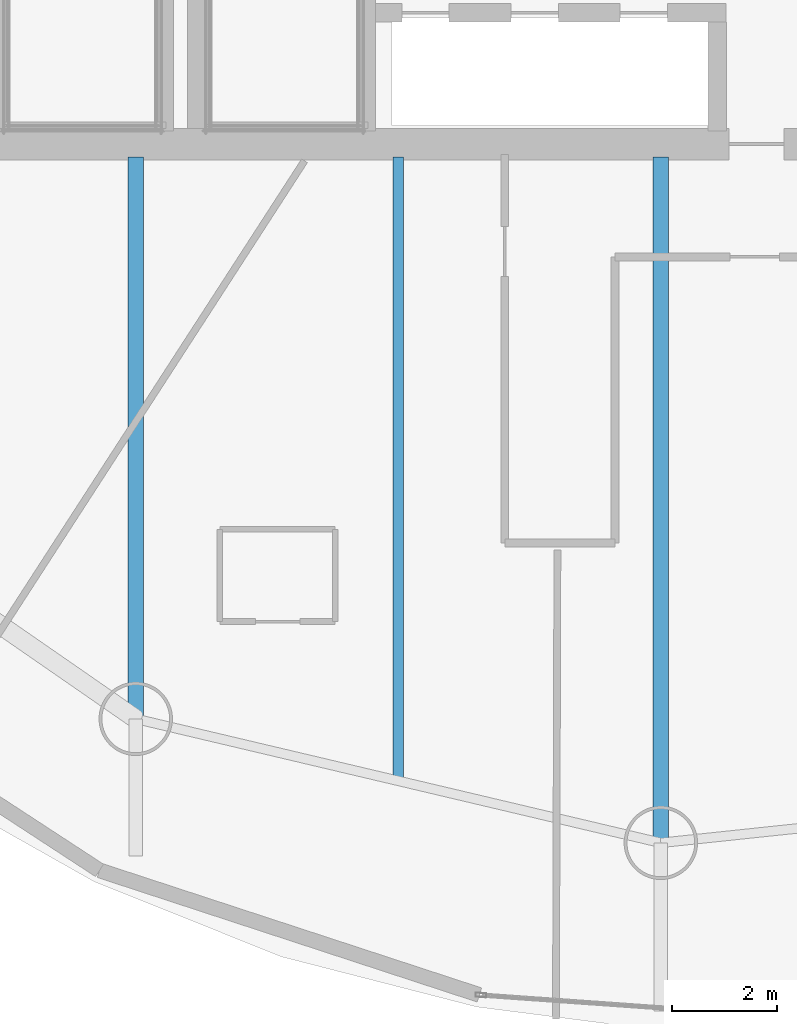
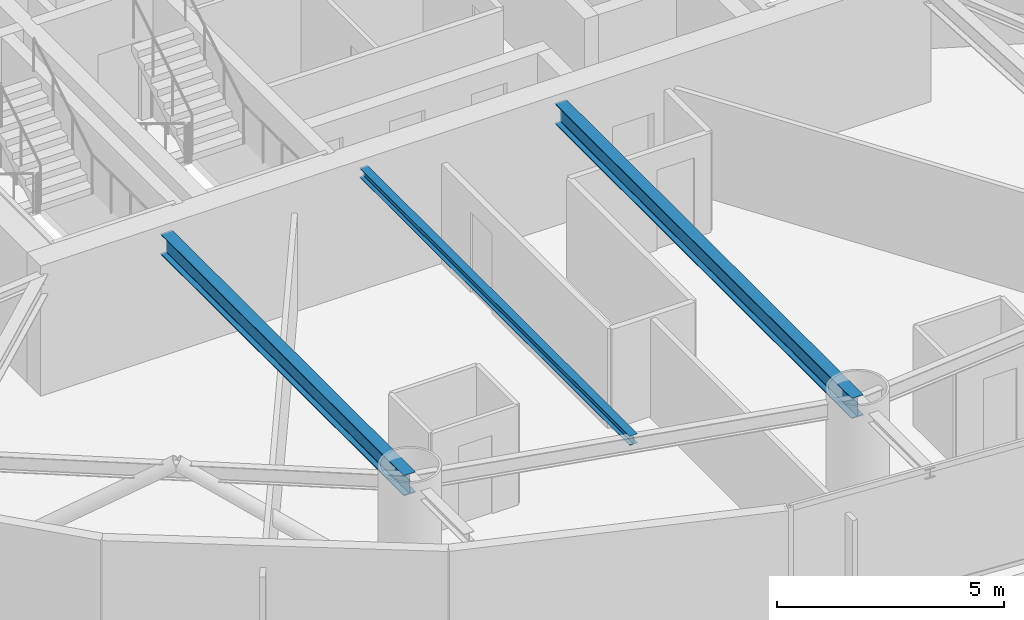
# One storey, part 3 of 22: 3 beams.
"""IFC4 building model written with IfcOpenShell, lengths in metres."""

from ifc_helpers import new_model, si_unit, direction, frame, origin, origin_2d, place, context, subcontext, project, spatial, i_section, extrude, material, material_profile, profile_set, type_object, element, save


model = new_model("IFC4")

# Units and contexts
model_context = context("Model", 3, precision=1e-05, world=origin(), true_north=direction((0.0, 1.0)))
body_context = subcontext(model_context, "Body", "Model", "MODEL_VIEW")
ifc_project = project(units=[si_unit("LENGTHUNIT", "METRE"), si_unit("AREAUNIT", "SQUARE_METRE"), si_unit("VOLUMEUNIT", "CUBIC_METRE"), si_unit("PLANEANGLEUNIT", "RADIAN"), si_unit("MASSUNIT", "GRAM", prefix="KILO")], contexts=[model_context])

# Site, building, storey
site_placement = place(None, origin())
site = spatial("IfcSite", under=ifc_project, at=site_placement, CompositionType="ELEMENT")
building_placement = place(site_placement, origin())
building = spatial("IfcBuilding", under=site, at=building_placement, Name="Bramvorn Convention Spire", CompositionType="ELEMENT")
storey_placement = place(building_placement, frame((0.0, 0.0, 134.300048828125)))
storey = spatial("IfcBuildingStorey", under=building, at=storey_placement, Name="L33", CompositionType="ELEMENT", Elevation=134.300048828125)

# Beams
ifc_material = material(Name="Steel CSA G40.21 Grade 350 (350W)", Category="steel")
ifc_material_profile_1 = material_profile(ifc_material, i_section(OverallWidth=0.201904296875, OverallDepth=0.2470703125, WebThickness=0.00732421875, FlangeThickness=0.010986328125, FilletRadius=0.011962890625, at=origin_2d()))
ifc_profile_set_1 = profile_set([ifc_material_profile_1], Name="Steel CSA G40.21 Grade 350 (350W) - W250X49")
beam_type_1 = type_object("IfcBeamType", Name="BM-W250X49", PredefinedType="JOIST", material=ifc_profile_set_1)
beam_1_placement = place(storey_placement, frame((34.920654296875, 18.550048828125, 3.136474609375), z_axis=(0.0, -1.0, 0.0), x_axis=(1.0, 0.0, 0.0)))
element("IfcBeam", 1, at=beam_1_placement, inside=storey, type_object=beam_type_1, Name="L33 composite floor joist 13", PredefinedType="JOIST", context=body_context, shape_type="SweptSolid", body=[
    extrude(i_section(OverallWidth=0.201904296875, OverallDepth=0.2470703125, WebThickness=0.00732421875, FlangeThickness=0.010986328125, FilletRadius=0.011962890625, at=origin_2d()), origin(), (0.0, 0.0, 1.0), 11.8857421875),
])
ifc_material_profile_2 = material_profile(ifc_material, i_section(OverallWidth=0.2919921875, OverallDepth=0.551025390625, WebThickness=0.01513671875, FlangeThickness=0.0244140625, FilletRadius=0.01904296875, at=origin_2d()))
ifc_profile_set_2 = profile_set([ifc_material_profile_2], Name="Steel CSA G40.21 Grade 350 (350W) - W530X182")
beam_type_2 = type_object("IfcBeamType", Name="BM-W530X182", PredefinedType="BEAM", material=ifc_profile_set_2)
beam_2_placement = place(storey_placement, frame((29.917236328125, 18.550048828125, 2.984375), z_axis=(0.0, -1.0, 0.0), x_axis=(1.0, 0.0, 0.0)))
element("IfcBeam", 2, at=beam_2_placement, inside=storey, type_object=beam_type_2, Name="L33 radial floor girder MC13", PredefinedType="BEAM", context=body_context, shape_type="SweptSolid", body=[
    extrude(i_section(OverallWidth=0.2919921875, OverallDepth=0.551025390625, WebThickness=0.01513671875, FlangeThickness=0.0244140625, FilletRadius=0.01904296875, at=origin_2d()), origin(), (0.0, 0.0, 1.0), 10.7041015625),
])
beam_3_placement = place(storey_placement, frame((39.924072265625, 18.550048828125, 2.984375), z_axis=(0.0, -1.0, 0.0), x_axis=(1.0, 0.0, 0.0)))
element("IfcBeam", 3, at=beam_3_placement, inside=storey, type_object=beam_type_2, Name="L33 radial floor girder MC14", PredefinedType="BEAM", context=body_context, shape_type="SweptSolid", body=[
    extrude(i_section(OverallWidth=0.2919921875, OverallDepth=0.551025390625, WebThickness=0.01513671875, FlangeThickness=0.0244140625, FilletRadius=0.01904296875, at=origin_2d()), origin(), (0.0, 0.0, 1.0), 13.0673828125),
])

save(model, "model.ifc")
